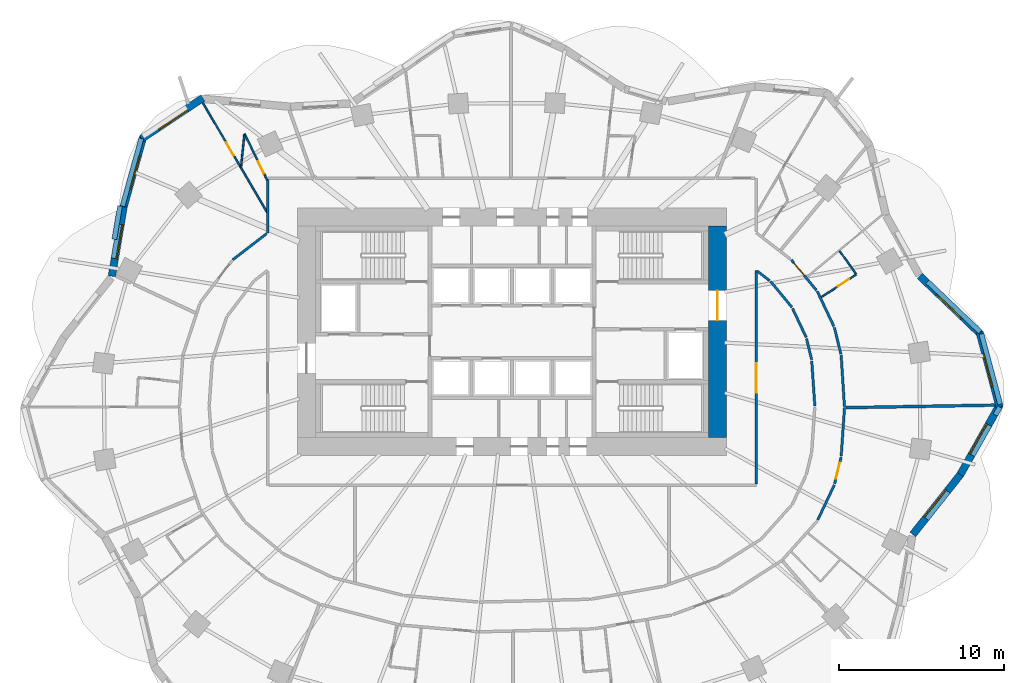
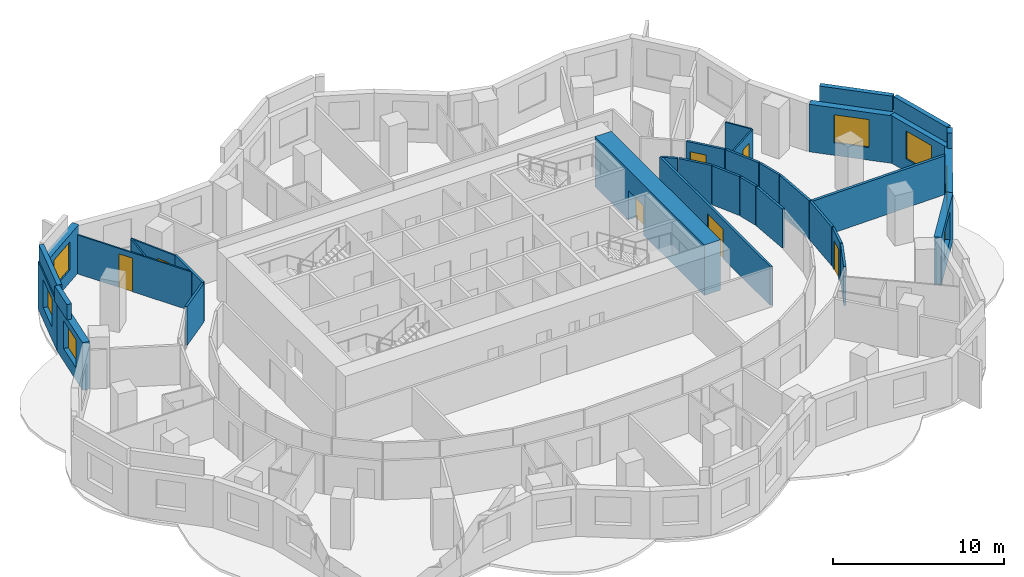
# One storey, part 7 of 11: 34 walls, 7 doors, 7 windows, 14 openings.
"""IFC4 building model written with IfcOpenShell, lengths in metres."""

from ifc_helpers import new_model, si_unit, direction, frame, frame_2d, origin, place, context, subcontext, project, spatial, rectangle, extrude, material, layer, layer_set, type_object, element, fill, save


model = new_model("IFC4")

# Units and contexts
model_context = context("Model", 3, precision=1e-05, world=origin(), true_north=direction((0.0, 1.0)))
body_context = subcontext(model_context, "Body", "Model", "MODEL_VIEW")
ifc_project = project(units=[si_unit("LENGTHUNIT", "METRE"), si_unit("AREAUNIT", "SQUARE_METRE"), si_unit("VOLUMEUNIT", "CUBIC_METRE"), si_unit("PLANEANGLEUNIT", "RADIAN"), si_unit("MASSUNIT", "GRAM", prefix="KILO")], contexts=[model_context])

# Site, building, storey
site_placement = place(None, origin())
site = spatial("IfcSite", under=ifc_project, at=site_placement, CompositionType="ELEMENT")
building_placement = place(site_placement, origin())
building = spatial("IfcBuilding", under=site, at=building_placement, Name="Rubra Terraces Tower", CompositionType="ELEMENT")
storey_placement = place(building_placement, frame((0.0, 0.0, 99.60009765625)))
storey = spatial("IfcBuildingStorey", under=building, at=storey_placement, Name="L23", CompositionType="ELEMENT", Elevation=99.60009765625)

# Wall
ifc_material_1 = material(Name="Twin plasterboard on staggered steel stud, acoustic mineral wool", Category="steel")
ifc_layer_1 = layer(ifc_material_1, 0.175048828125)
ifc_layer_set_1 = layer_set([ifc_layer_1], Name="Twin plasterboard on staggered steel stud, acoustic mineral wool")
wall_type_1 = type_object("IfcWallType", Name="ACOUSTIC PARTY WALL 175", PredefinedType="PARTITIONING", material=ifc_layer_set_1)
wall_1_placement = place(storey_placement, frame((29.27001953125, 0.06103515625, 0.0), z_axis=(0.0, 0.0, 1.0), x_axis=(-0.99985431895, -0.017068710461, 0.0)))
element("IfcWall", 1, at=wall_1_placement, inside=storey, type_object=wall_type_1, Name="PARTITION", PredefinedType="PARTITIONING", context=body_context, shape_type="SweptSolid", body=[
    extrude(rectangle(XDim=9.053955078125, YDim=0.175048828125, at=frame_2d((4.52685546875, 0.0))), origin(), (0.0, 0.0, 1.0), 2.783935546875),
])

# Wall, opening, window
ifc_material_2 = material(Name="Brick masonry red-brown", Category="masonry")
ifc_layer_2 = layer(ifc_material_2, 0.449951171875)
ifc_layer_set_2 = layer_set([ifc_layer_2], Name="Brick masonry red-brown")
wall_type_2 = type_object("IfcWallType", Name="Brick facade wall 450", PredefinedType="SOLIDWALL", material=ifc_layer_set_2)
wall_2_placement = place(storey_placement, frame((29.539794921875, -0.05810546875, 0.0), z_axis=(0.0, 0.0, 1.0), x_axis=(-0.258581372102, 0.96598947924, 0.0)))
wall_2 = element("IfcWall", 2, at=wall_2_placement, inside=storey, type_object=wall_type_2, Name="Facade wall L23 bay 1", PredefinedType="SOLIDWALL", context=body_context, shape_type="SweptSolid", body=[
    extrude(rectangle(XDim=4.68017578125, YDim=0.449951171875, at=frame_2d((2.340087890625, 0.0))), origin(), (0.0, 0.0, 1.0), 3.39990234375),
])
opening_1_placement = place(wall_2_placement, frame((1.2900390625, 0.0, 0.89990234375)))
opening_1 = element("IfcOpeningElement", 3, at=opening_1_placement, cuts=wall_2, Name="Opening W1", PredefinedType="OPENING", context=body_context, shape_type="SweptSolid", body=[
    extrude(rectangle(XDim=2.10009765625, YDim=2.0, at=frame_2d((1.050048828125, 1.0))), frame((0.0, 0.23486328125, 0.0), z_axis=(0.0, -1.0, 0.0), x_axis=(1.0, 0.0, 0.0)), (0.0, 0.0, 1.0), 0.469970703125),
])
ifc_material_3 = material(Name="Clear glass in aluminium frame", Category="aluminium")
window_type = type_object("IfcWindowType", Name="Fixed deep-set window 2100 x 2000", PartitioningType="SINGLE_PANEL", PredefinedType="WINDOW", material=ifc_material_3)
window_1_placement = place(opening_1_placement, origin())
window_1 = element("IfcWindow", 4, at=window_1_placement, inside=storey, type_object=window_type, Name="Window L23 bay 1", OverallHeight=2.0, OverallWidth=2.10009765625, PartitioningType="SINGLE_PANEL", PredefinedType="WINDOW", context=body_context, shape_type="SweptSolid", body=[
    extrude(rectangle(XDim=2.10009765625, YDim=2.0, at=frame_2d((1.050048828125, 1.0))), frame((0.0, 0.135009765625, 0.0), z_axis=(0.0, -1.0, 0.0), x_axis=(1.0, 0.0, 0.0)), (0.0, 0.0, 1.0), 0.06005859375),
])
fill(opening_1, window_1)

wall_3_placement = place(storey_placement, frame((28.38720703125, 4.362548828125, 0.0), z_axis=(0.0, 0.0, 1.0), x_axis=(-0.722717697728, 0.691143349379, 0.0)))
wall_3 = element("IfcWall", 5, at=wall_3_placement, inside=storey, type_object=wall_type_2, Name="Facade wall L23 bay 2", PredefinedType="SOLIDWALL", context=body_context, shape_type="SweptSolid", body=[
    extrude(rectangle(XDim=5.103271484375, YDim=0.449951171875, at=frame_2d((2.5517578125, 0.0))), origin(), (0.0, 0.0, 1.0), 3.39990234375),
])
opening_2_placement = place(wall_3_placement, frame((1.501708984375, 0.0, 0.89990234375)))
opening_2 = element("IfcOpeningElement", 6, at=opening_2_placement, cuts=wall_3, Name="Opening W1", PredefinedType="OPENING", context=body_context, shape_type="SweptSolid", body=[
    extrude(rectangle(XDim=2.10009765625, YDim=2.0, at=frame_2d((1.050048828125, 1.0))), frame((0.0, 0.23486328125, 0.0), z_axis=(0.0, -1.0, 0.0), x_axis=(1.0, 0.0, 0.0)), (0.0, 0.0, 1.0), 0.469970703125),
])
window_2_placement = place(opening_2_placement, origin())
window_2 = element("IfcWindow", 7, at=window_2_placement, inside=storey, type_object=window_type, Name="Window L23 bay 2", OverallHeight=2.0, OverallWidth=2.10009765625, PartitioningType="SINGLE_PANEL", PredefinedType="WINDOW", context=body_context, shape_type="SweptSolid", body=[
    extrude(rectangle(XDim=2.10009765625, YDim=2.0, at=frame_2d((1.050048828125, 1.0))), frame((0.0, 0.135009765625, 0.0), z_axis=(0.0, -1.0, 0.0), x_axis=(1.0, 0.0, 0.0)), (0.0, 0.0, 1.0), 0.06005859375),
])
fill(opening_2, window_2)

wall_4_placement = place(storey_placement, frame((-18.7255859375, 18.66259765625, 0.0), z_axis=(0.0, 0.0, 1.0), x_axis=(-0.83333921474, -0.552761931736, 0.0)))
wall_4 = element("IfcWall", 8, at=wall_4_placement, inside=storey, type_object=wall_type_2, Name="Facade wall L23 bay 16", PredefinedType="SOLIDWALL", context=body_context, shape_type="SweptSolid", body=[
    extrude(rectangle(XDim=4.45068359375, YDim=0.449951171875, at=frame_2d((2.225341796875, 0.0))), origin(), (0.0, 0.0, 1.0), 3.39990234375),
])
opening_3_placement = place(wall_4_placement, frame((1.17529296875, 0.0, 0.89990234375)))
opening_3 = element("IfcOpeningElement", 9, at=opening_3_placement, cuts=wall_4, Name="Opening W1", PredefinedType="OPENING", context=body_context, shape_type="SweptSolid", body=[
    extrude(rectangle(XDim=2.10009765625, YDim=2.0, at=frame_2d((1.050048828125, 1.0))), frame((0.0, 0.23486328125, 0.0), z_axis=(0.0, -1.0, 0.0), x_axis=(1.0, 0.0, 0.0)), (0.0, 0.0, 1.0), 0.469970703125),
])
window_3_placement = place(opening_3_placement, origin())
window_3 = element("IfcWindow", 10, at=window_3_placement, inside=storey, type_object=window_type, Name="Window L23 bay 16", OverallHeight=2.0, OverallWidth=2.10009765625, PartitioningType="SINGLE_PANEL", PredefinedType="WINDOW", context=body_context, shape_type="SweptSolid", body=[
    extrude(rectangle(XDim=2.10009765625, YDim=2.0, at=frame_2d((1.050048828125, 1.0))), frame((0.0, 0.135009765625, 0.0), z_axis=(0.0, -1.0, 0.0), x_axis=(1.0, 0.0, 0.0)), (0.0, 0.0, 1.0), 0.06005859375),
])
fill(opening_3, window_3)

wall_5_placement = place(storey_placement, frame((-22.343505859375, 16.32568359375, 0.0), z_axis=(0.0, 0.0, 1.0), x_axis=(-0.267925456304, -0.963439645159, 0.0)))
wall_5 = element("IfcWall", 11, at=wall_5_placement, inside=storey, type_object=wall_type_2, Name="Facade wall L23 bay 17", PredefinedType="SOLIDWALL", context=body_context, shape_type="SweptSolid", body=[
    extrude(rectangle(XDim=4.4267578125, YDim=0.449951171875, at=frame_2d((2.21337890625, 0.0))), origin(), (0.0, 0.0, 1.0), 3.39990234375),
])
opening_4_placement = place(wall_5_placement, frame((1.16357421875, 0.0, 0.89990234375)))
opening_4 = element("IfcOpeningElement", 12, at=opening_4_placement, cuts=wall_5, Name="Opening W1", PredefinedType="OPENING", context=body_context, shape_type="SweptSolid", body=[
    extrude(rectangle(XDim=2.10009765625, YDim=2.0, at=frame_2d((1.050048828125, 1.0))), frame((0.0, 0.23486328125, 0.0), z_axis=(0.0, -1.0, 0.0), x_axis=(1.0, 0.0, 0.0)), (0.0, 0.0, 1.0), 0.469970703125),
])
window_4_placement = place(opening_4_placement, origin())
window_4 = element("IfcWindow", 13, at=window_4_placement, inside=storey, type_object=window_type, Name="Window L23 bay 17", OverallHeight=2.0, OverallWidth=2.10009765625, PartitioningType="SINGLE_PANEL", PredefinedType="WINDOW", context=body_context, shape_type="SweptSolid", body=[
    extrude(rectangle(XDim=2.10009765625, YDim=2.0, at=frame_2d((1.050048828125, 1.0))), frame((0.0, 0.135009765625, 0.0), z_axis=(0.0, -1.0, 0.0), x_axis=(1.0, 0.0, 0.0)), (0.0, 0.0, 1.0), 0.06005859375),
])
fill(opening_4, window_4)

wall_6_placement = place(storey_placement, frame((-23.524169921875, 12.0830078125, 0.0), z_axis=(0.0, 0.0, 1.0), x_axis=(-0.167445072349, -0.985881406532, 0.0)))
wall_6 = element("IfcWall", 14, at=wall_6_placement, inside=storey, type_object=wall_type_2, Name="Facade wall L23 bay 18", PredefinedType="SOLIDWALL", context=body_context, shape_type="SweptSolid", body=[
    extrude(rectangle(XDim=4.27490234375, YDim=0.449951171875, at=frame_2d((2.137451171875, 0.0))), origin(), (0.0, 0.0, 1.0), 3.39990234375),
])
opening_5_placement = place(wall_6_placement, frame((1.08740234375, 0.0, 0.89990234375)))
opening_5 = element("IfcOpeningElement", 15, at=opening_5_placement, cuts=wall_6, Name="Opening W1", PredefinedType="OPENING", context=body_context, shape_type="SweptSolid", body=[
    extrude(rectangle(XDim=2.10009765625, YDim=2.0, at=frame_2d((1.050048828125, 1.0))), frame((0.0, 0.23486328125, 0.0), z_axis=(0.0, -1.0, 0.0), x_axis=(1.0, 0.0, 0.0)), (0.0, 0.0, 1.0), 0.469970703125),
])
window_5_placement = place(opening_5_placement, origin())
window_5 = element("IfcWindow", 16, at=window_5_placement, inside=storey, type_object=window_type, Name="Window L23 bay 18", OverallHeight=2.0, OverallWidth=2.10009765625, PartitioningType="SINGLE_PANEL", PredefinedType="WINDOW", context=body_context, shape_type="SweptSolid", body=[
    extrude(rectangle(XDim=2.10009765625, YDim=2.0, at=frame_2d((1.050048828125, 1.0))), frame((0.0, 0.135009765625, 0.0), z_axis=(0.0, -1.0, 0.0), x_axis=(1.0, 0.0, 0.0)), (0.0, 0.0, 1.0), 0.06005859375),
])
fill(opening_5, window_5)

wall_7_placement = place(storey_placement, frame((24.2822265625, -7.773681640625, 0.0), z_axis=(0.0, 0.0, 1.0), x_axis=(0.621735490397, 0.783227285008, 0.0)))
wall_7 = element("IfcWall", 17, at=wall_7_placement, inside=storey, type_object=wall_type_2, Name="Facade wall L23 bay 39", PredefinedType="SOLIDWALL", context=body_context, shape_type="SweptSolid", body=[
    extrude(rectangle(XDim=4.62451171875, YDim=0.449951171875, at=frame_2d((2.312255859375, 0.0))), origin(), (0.0, 0.0, 1.0), 3.39990234375),
])
opening_6_placement = place(wall_7_placement, frame((1.26220703125, 0.0, 0.89990234375)))
opening_6 = element("IfcOpeningElement", 18, at=opening_6_placement, cuts=wall_7, Name="Opening W1", PredefinedType="OPENING", context=body_context, shape_type="SweptSolid", body=[
    extrude(rectangle(XDim=2.10009765625, YDim=2.0, at=frame_2d((1.050048828125, 1.0))), frame((0.0, 0.23486328125, 0.0), z_axis=(0.0, -1.0, 0.0), x_axis=(1.0, 0.0, 0.0)), (0.0, 0.0, 1.0), 0.469970703125),
])
window_6_placement = place(opening_6_placement, origin())
window_6 = element("IfcWindow", 19, at=window_6_placement, inside=storey, type_object=window_type, Name="Window L23 bay 39", OverallHeight=2.0, OverallWidth=2.10009765625, PartitioningType="SINGLE_PANEL", PredefinedType="WINDOW", context=body_context, shape_type="SweptSolid", body=[
    extrude(rectangle(XDim=2.10009765625, YDim=2.0, at=frame_2d((1.050048828125, 1.0))), frame((0.0, 0.135009765625, 0.0), z_axis=(0.0, -1.0, 0.0), x_axis=(1.0, 0.0, 0.0)), (0.0, 0.0, 1.0), 0.06005859375),
])
fill(opening_6, window_6)

wall_8_placement = place(storey_placement, frame((27.138427734375, -4.180908203125, 0.0), z_axis=(0.0, 0.0, 1.0), x_axis=(0.491588303761, 0.870827732451, 0.0)))
wall_8 = element("IfcWall", 20, at=wall_8_placement, inside=storey, type_object=wall_type_2, Name="Facade wall L23 bay 40", PredefinedType="SOLIDWALL", context=body_context, shape_type="SweptSolid", body=[
    extrude(rectangle(XDim=4.924072265625, YDim=0.449951171875, at=frame_2d((2.4619140625, 0.0))), origin(), (0.0, 0.0, 1.0), 3.39990234375),
])
opening_7_placement = place(wall_8_placement, frame((1.412109375, 0.0, 0.89990234375)))
opening_7 = element("IfcOpeningElement", 21, at=opening_7_placement, cuts=wall_8, Name="Opening W1", PredefinedType="OPENING", context=body_context, shape_type="SweptSolid", body=[
    extrude(rectangle(XDim=2.10009765625, YDim=2.0, at=frame_2d((1.050048828125, 1.0))), frame((0.0, 0.23486328125, 0.0), z_axis=(0.0, -1.0, 0.0), x_axis=(1.0, 0.0, 0.0)), (0.0, 0.0, 1.0), 0.469970703125),
])
window_7_placement = place(opening_7_placement, origin())
window_7 = element("IfcWindow", 22, at=window_7_placement, inside=storey, type_object=window_type, Name="Window L23 bay 40", OverallHeight=2.0, OverallWidth=2.10009765625, PartitioningType="SINGLE_PANEL", PredefinedType="WINDOW", context=body_context, shape_type="SweptSolid", body=[
    extrude(rectangle(XDim=2.10009765625, YDim=2.0, at=frame_2d((1.050048828125, 1.0))), frame((0.0, 0.135009765625, 0.0), z_axis=(0.0, -1.0, 0.0), x_axis=(1.0, 0.0, 0.0)), (0.0, 0.0, 1.0), 0.06005859375),
])
fill(opening_7, window_7)

# Walls
ifc_layer_3 = layer(ifc_material_2, 0.300048828125)
ifc_layer_set_3 = layer_set([ifc_layer_3], Name="Brick masonry red-brown")
wall_type_3 = type_object("IfcWallType", Name="Brick parapet 300", PredefinedType="PARAPET", material=ifc_layer_set_3)
for number, where, z_axis, x_axis, name in (
    (23, (29.57275390625, 0.1083984375, 3.599853515625), (0.0, 0.0, 1.0), (-0.258523195294, 0.96600505045, 0.0), "Parapet L23 bay 1"),
    (24, (28.36083984375, 4.491455078125, 3.599853515625), (0.0, 0.0, 1.0), (-0.722694709068, 0.691167387457, 0.0), "Parapet L23 bay 2"),
):
    element("IfcWall", number, at=place(storey_placement, frame(where, z_axis=z_axis, x_axis=x_axis)), inside=storey, type_object=wall_type_3, Name=name, PredefinedType="PARAPET", context=body_context, shape_type="SweptSolid", body=[
        extrude(rectangle(XDim=4.4140625, YDim=0.300048828125, at=frame_2d((2.20703125, 0.0))), origin(), (0.0, 0.0, 1.0), 1.10009765625),
    ])
wall_9_placement = place(storey_placement, frame((-22.452392578125, 16.213134765625, 3.599853515625), z_axis=(0.0, 0.0, 1.0), x_axis=(-0.267993020858, -0.963420853403, 0.0)))
element("IfcWall", 25, at=wall_9_placement, inside=storey, type_object=wall_type_3, Name="Parapet L23 bay 17", PredefinedType="PARAPET", context=body_context, shape_type="SweptSolid", body=[
    extrude(rectangle(XDim=4.25537109375, YDim=0.300048828125, at=frame_2d((2.127685546875, 0.0))), origin(), (0.0, 0.0, 1.0), 1.10009765625),
])
wall_10_placement = place(storey_placement, frame((-23.7451171875, 12.125, 3.599853515625), z_axis=(0.0, 0.0, 1.0), x_axis=(-0.16743218322, -0.985883595574, 0.0)))
element("IfcWall", 26, at=wall_10_placement, inside=storey, type_object=wall_type_3, Name="Parapet L23 bay 18", PredefinedType="PARAPET", context=body_context, shape_type="SweptSolid", body=[
    extrude(rectangle(XDim=2.048583984375, YDim=0.300048828125, at=frame_2d((1.0244140625, 0.0))), origin(), (0.0, 0.0, 1.0), 1.10009765625),
])
wall_11_placement = place(storey_placement, frame((29.27880859375, -0.541748046875, 3.599853515625), z_axis=(0.0, 0.0, 1.0), x_axis=(0.491912136679, 0.870644847103, 0.0)))
element("IfcWall", 27, at=wall_11_placement, inside=storey, type_object=wall_type_3, Name="Parapet L23 bay 40", PredefinedType="PARAPET", context=body_context, shape_type="SweptSolid", body=[
    extrude(rectangle(XDim=0.554443359375, YDim=0.300048828125, at=frame_2d((0.27734375, 0.0))), origin(), (0.0, 0.0, 1.0), 1.10009765625),
])

# Wall, opening, door
ifc_material_4 = material(Name="Concrete C60", Category="concrete")
ifc_layer_4 = layer(ifc_material_4, 1.10009765625)
ifc_layer_set_4 = layer_set([ifc_layer_4], Name="Concrete C60")
wall_type_4 = type_object("IfcWallType", Name="CORE WALL 1100 C60", PredefinedType="SHEAR", material=ifc_layer_set_4)
wall_12_placement = place(storey_placement, frame((12.449951171875, -1.89990234375, 0.0), z_axis=(0.0, 0.0, 1.0), x_axis=(0.0, 1.0, 0.0)))
wall_12 = element("IfcWall", 28, at=wall_12_placement, inside=storey, type_object=wall_type_4, Name="CORE WALL E L23", PredefinedType="SHEAR", context=body_context, shape_type="SweptSolid", body=[
    extrude(rectangle(XDim=12.7998046875, YDim=1.10009765625, at=frame_2d((6.39990234375, 0.0))), origin(), (0.0, 0.0, 1.0), 3.599853515625),
])
opening_8_placement = place(wall_12_placement, frame((7.10009765625, 0.0, 0.0)))
opening_8 = element("IfcOpeningElement", 29, at=opening_8_placement, cuts=wall_12, Name="Opening L23.C02", PredefinedType="OPENING", context=body_context, shape_type="SweptSolid", body=[
    extrude(rectangle(XDim=1.800048828125, YDim=2.10009765625, at=frame_2d((0.89990234375, 1.050048828125))), frame((0.0, 0.56005859375, 0.0), z_axis=(0.0, -1.0, 0.0), x_axis=(1.0, 0.0, 0.0)), (0.0, 0.0, 1.0), 1.1201171875),
])
ifc_material_5 = material(Name="Painted steel", Category="steel")
door_type_1 = type_object("IfcDoorType", Name="Fire door 1800x2100 double", OperationType="NOTDEFINED", PredefinedType="DOOR", material=ifc_material_5)
door_1_placement = place(opening_8_placement, origin())
door_1 = element("IfcDoor", 30, at=door_1_placement, inside=storey, type_object=door_type_1, Name="Core entrance door FF2", OperationType="DOUBLE_DOOR_SINGLE_SWING", OverallHeight=2.10009765625, OverallWidth=1.800048828125, PredefinedType="DOOR", context=body_context, shape_type="SweptSolid", body=[
    extrude(rectangle(XDim=1.800048828125, YDim=2.10009765625, at=frame_2d((0.89990234375, 1.050048828125))), frame((0.0, 0.02490234375, 0.0), z_axis=(0.0, -1.0, 0.0), x_axis=(1.0, 0.0, 0.0)), (0.0, 0.0, 1.0), 0.050048828125),
])
fill(opening_8, door_1)

# Walls
ifc_material_6 = material(Name="Plasterboard on steel stud, mineral wool infill", Category="steel")
ifc_layer_5 = layer(ifc_material_6, 0.14990234375)
ifc_layer_set_5 = layer_set([ifc_layer_5], Name="Plasterboard on steel stud, mineral wool infill")
wall_type_5 = type_object("IfcWallType", Name="CORRIDOR PARTITION 150", PredefinedType="PARTITIONING", material=ifc_layer_set_5)
wall_13_placement = place(storey_placement, frame((-14.800048828125, 13.72509765625, 0.0), z_axis=(0.0, 0.0, 1.0), x_axis=(0.0, -1.0, 0.0)))
element("IfcWall", 31, at=wall_13_placement, inside=storey, type_object=wall_type_5, Name="PARTITION", PredefinedType="PARTITIONING", context=body_context, shape_type="SweptSolid", body=[
    extrude(rectangle(XDim=3.228271484375, YDim=0.14990234375, at=frame_2d((1.6142578125, 0.0))), origin(), (0.0, 0.0, 1.0), 2.783935546875),
])
wall_14_placement = place(storey_placement, frame((-14.859619140625, 10.451171875, 0.0), z_axis=(0.0, 0.0, 1.0), x_axis=(-0.791542595332, -0.611113999001, 0.0)))
element("IfcWall", 32, at=wall_14_placement, inside=storey, type_object=wall_type_5, Name="PARTITION", PredefinedType="PARTITIONING", context=body_context, shape_type="SweptSolid", body=[
    extrude(rectangle(XDim=2.604736328125, YDim=0.14990234375, at=frame_2d((1.30224609375, 0.0))), origin(), (0.0, 0.0, 1.0), 2.783935546875),
])
wall_15_placement = place(storey_placement, frame((18.521728515625, -6.891357421875, 0.0), z_axis=(0.0, 0.0, 1.0), x_axis=(0.428157819028, 0.903703979191, 0.0)))
element("IfcWall", 33, at=wall_15_placement, inside=storey, type_object=wall_type_5, Name="PARTITION", PredefinedType="PARTITIONING", context=body_context, shape_type="SweptSolid", body=[
    extrude(rectangle(XDim=2.349365234375, YDim=0.14990234375, at=frame_2d((1.1748046875, 0.0))), origin(), (0.0, 0.0, 1.0), 2.783935546875),
])

# Wall, opening, door
wall_16_placement = place(storey_placement, frame((19.54541015625, -4.695556640625, 0.0), z_axis=(0.0, 0.0, 1.0), x_axis=(0.23674251562, 0.971572427201, 0.0)))
wall_16 = element("IfcWall", 34, at=wall_16_placement, inside=storey, type_object=wall_type_5, Name="PARTITION", PredefinedType="PARTITIONING", context=body_context, shape_type="SweptSolid", body=[
    extrude(rectangle(XDim=1.6572265625, YDim=0.14990234375, at=frame_2d((0.82861328125, 0.0))), origin(), (0.0, 0.0, 1.0), 2.783935546875),
])
opening_9_placement = place(wall_16_placement, frame((0.300048828125, 0.0, 0.0)))
opening_9 = element("IfcOpeningElement", 35, at=opening_9_placement, cuts=wall_16, Name="Opening 23-119", PredefinedType="OPENING", context=body_context, shape_type="SweptSolid", body=[
    extrude(rectangle(XDim=1.0, YDim=2.10009765625, at=frame_2d((0.5, 1.050048828125))), frame((0.0, 0.0849609375, 0.0), z_axis=(0.0, -1.0, 0.0), x_axis=(1.0, 0.0, 0.0)), (0.0, 0.0, 1.0), 0.169921875),
])
ifc_material_7 = material(Name="Painted timber door leaf", Category="wood")
door_type_2 = type_object("IfcDoorType", Name="ROOM DOOR 1000 X 2100", OperationType="SINGLE_SWING_LEFT", PredefinedType="DOOR", material=ifc_material_7)
door_2_placement = place(opening_9_placement, origin())
door_2 = element("IfcDoor", 36, at=door_2_placement, inside=storey, type_object=door_type_2, Name="DOOR 23-119", OperationType="SINGLE_SWING_RIGHT", OverallHeight=2.10009765625, OverallWidth=1.0, PredefinedType="DOOR", context=body_context, shape_type="SweptSolid", body=[
    extrude(rectangle(XDim=1.0, YDim=2.10009765625, at=frame_2d((0.5, 1.050048828125))), frame((0.0, 0.02490234375, 0.0), z_axis=(0.0, -1.0, 0.0), x_axis=(1.0, 0.0, 0.0)), (0.0, 0.0, 1.0), 0.050048828125),
])
fill(opening_9, door_2)

# Walls
wall_17_placement = place(storey_placement, frame((19.94287109375, -3.0107421875, 0.0), z_axis=(0.0, 0.0, 1.0), x_axis=(0.068248767422, 0.997668334541, 0.0)))
element("IfcWall", 37, at=wall_17_placement, inside=storey, type_object=wall_type_5, Name="PARTITION", PredefinedType="PARTITIONING", context=body_context, shape_type="SweptSolid", body=[
    extrude(rectangle(XDim=2.922607421875, YDim=0.14990234375, at=frame_2d((1.46142578125, 0.0))), origin(), (0.0, 0.0, 1.0), 2.783935546875),
])
wall_18_placement = place(storey_placement, frame((20.1376953125, -0.02001953125, 0.0), z_axis=(0.0, 0.0, 1.0), x_axis=(-0.064253743149, 0.997933593227, 0.0)))
element("IfcWall", 38, at=wall_18_placement, inside=storey, type_object=wall_type_5, Name="PARTITION", PredefinedType="PARTITIONING", context=body_context, shape_type="SweptSolid", body=[
    extrude(rectangle(XDim=3.11181640625, YDim=0.14990234375, at=frame_2d((1.555908203125, 0.0))), origin(), (0.0, 0.0, 1.0), 2.783935546875),
])
wall_19_placement = place(storey_placement, frame((19.919921875, 3.158447265625, 0.0), z_axis=(0.0, 0.0, 1.0), x_axis=(-0.236776405664, 0.971564168607, 0.0)))
element("IfcWall", 39, at=wall_19_placement, inside=storey, type_object=wall_type_5, Name="PARTITION", PredefinedType="PARTITIONING", context=body_context, shape_type="SweptSolid", body=[
    extrude(rectangle(XDim=1.656982421875, YDim=0.14990234375, at=frame_2d((0.82861328125, 0.0))), origin(), (0.0, 0.0, 1.0), 2.783935546875),
])
wall_20_placement = place(storey_placement, frame((19.495361328125, 4.836181640625, 0.0), z_axis=(0.0, 0.0, 1.0), x_axis=(-0.428157819028, 0.903703979191, 0.0)))
element("IfcWall", 40, at=wall_20_placement, inside=storey, type_object=wall_type_5, Name="PARTITION", PredefinedType="PARTITIONING", context=body_context, shape_type="SweptSolid", body=[
    extrude(rectangle(XDim=2.349365234375, YDim=0.14990234375, at=frame_2d((1.1748046875, 0.0))), origin(), (0.0, 0.0, 1.0), 2.783935546875),
])

# Wall, opening, door
wall_21_placement = place(storey_placement, frame((18.44189453125, 7.01708984375, 0.0), z_axis=(0.0, 0.0, 1.0), x_axis=(-0.636538018119, 0.7712453251, 0.0)))
wall_21 = element("IfcWall", 41, at=wall_21_placement, inside=storey, type_object=wall_type_5, Name="PARTITION", PredefinedType="PARTITIONING", context=body_context, shape_type="SweptSolid", body=[
    extrude(rectangle(XDim=2.388671875, YDim=0.14990234375, at=frame_2d((1.1943359375, 0.0))), origin(), (0.0, 0.0, 1.0), 2.783935546875),
])
opening_10_placement = place(wall_21_placement, frame((1.14990234375, 0.0, 0.0)))
opening_10 = element("IfcOpeningElement", 42, at=opening_10_placement, cuts=wall_21, Name="Opening 23-122", PredefinedType="OPENING", context=body_context, shape_type="SweptSolid", body=[
    extrude(rectangle(XDim=1.0, YDim=2.10009765625, at=frame_2d((0.5, 1.050048828125))), frame((0.0, 0.0849609375, 0.0), z_axis=(0.0, -1.0, 0.0), x_axis=(1.0, 0.0, 0.0)), (0.0, 0.0, 1.0), 0.169921875),
])
door_3_placement = place(opening_10_placement, origin())
door_3 = element("IfcDoor", 43, at=door_3_placement, inside=storey, type_object=door_type_2, Name="DOOR 23-122", OperationType="SINGLE_SWING_RIGHT", OverallHeight=2.10009765625, OverallWidth=1.0, PredefinedType="DOOR", context=body_context, shape_type="SweptSolid", body=[
    extrude(rectangle(XDim=1.0, YDim=2.10009765625, at=frame_2d((0.5, 1.050048828125))), frame((0.0, 0.02490234375, 0.0), z_axis=(0.0, -1.0, 0.0), x_axis=(1.0, 0.0, 0.0)), (0.0, 0.0, 1.0), 0.050048828125),
])
fill(opening_10, door_3)

# Walls
wall_22_placement = place(storey_placement, frame((15.66162109375, 7.557861328125, 0.0), z_axis=(0.0, 0.0, 1.0), x_axis=(0.636500564941, -0.7712762351, 0.0)))
element("IfcWall", 44, at=wall_22_placement, inside=storey, type_object=wall_type_5, Name="PARTITION", PredefinedType="PARTITIONING", context=body_context, shape_type="SweptSolid", body=[
    extrude(rectangle(XDim=2.037841796875, YDim=0.14990234375, at=frame_2d((1.01904296875, 0.0))), origin(), (0.0, 0.0, 1.0), 2.783935546875),
])
wall_23_placement = place(storey_placement, frame((16.990966796875, 5.918212890625, 0.0), z_axis=(0.0, 0.0, 1.0), x_axis=(0.428199863362, -0.903684058185, 0.0)))
element("IfcWall", 45, at=wall_23_placement, inside=storey, type_object=wall_type_5, Name="PARTITION", PredefinedType="PARTITIONING", context=body_context, shape_type="SweptSolid", body=[
    extrude(rectangle(XDim=1.94140625, YDim=0.14990234375, at=frame_2d((0.970703125, 0.0))), origin(), (0.0, 0.0, 1.0), 2.783935546875),
])
wall_24_placement = place(storey_placement, frame((17.840087890625, 4.0908203125, 0.0), z_axis=(0.0, 0.0, 1.0), x_axis=(0.236653741324, -0.971594054489, 0.0)))
element("IfcWall", 46, at=wall_24_placement, inside=storey, type_object=wall_type_5, Name="PARTITION", PredefinedType="PARTITIONING", context=body_context, shape_type="SweptSolid", body=[
    extrude(rectangle(XDim=1.319580078125, YDim=0.14990234375, at=frame_2d((0.65966796875, 0.0))), origin(), (0.0, 0.0, 1.0), 2.783935546875),
])
wall_25_placement = place(storey_placement, frame((18.157470703125, 2.734130859375, 0.0), z_axis=(0.0, 0.0, 1.0), x_axis=(0.068328193832, -0.997662897941, 0.0)))
element("IfcWall", 47, at=wall_25_placement, inside=storey, type_object=wall_type_5, Name="PARTITION", PredefinedType="PARTITIONING", context=body_context, shape_type="SweptSolid", body=[
    extrude(rectangle(XDim=2.740478515625, YDim=0.14990234375, at=frame_2d((1.3701171875, 0.0))), origin(), (0.0, 0.0, 1.0), 2.783935546875),
])

# Wall, opening, door
wall_26_placement = place(storey_placement, frame((14.800048828125, -4.72509765625, 0.0), z_axis=(0.0, 0.0, 1.0), x_axis=(0.0, 1.0, 0.0)))
wall_26 = element("IfcWall", 48, at=wall_26_placement, inside=storey, type_object=wall_type_5, Name="PARTITION", PredefinedType="PARTITIONING", context=body_context, shape_type="SweptSolid", body=[
    extrude(rectangle(XDim=12.947998046875, YDim=0.14990234375, at=frame_2d((6.47412109375, 0.0))), origin(), (0.0, 0.0, 1.0), 2.783935546875),
])
opening_11_placement = place(wall_26_placement, frame((5.535888671875, 0.0, 0.0)))
opening_11 = element("IfcOpeningElement", 49, at=opening_11_placement, cuts=wall_26, Name="Opening 23-134", PredefinedType="OPENING", context=body_context, shape_type="SweptSolid", body=[
    extrude(rectangle(XDim=1.800048828125, YDim=2.10009765625, at=frame_2d((0.89990234375, 1.050048828125))), frame((0.0, 0.0849609375, 0.0), z_axis=(0.0, -1.0, 0.0), x_axis=(1.0, 0.0, 0.0)), (0.0, 0.0, 1.0), 0.169921875),
])
ifc_material_8 = material(Name="Painted timber door leaf, double", Category="wood")
door_type_3 = type_object("IfcDoorType", Name="ROOM DOUBLE DOOR 1800 X 2100", OperationType="DOUBLE_DOOR_SINGLE_SWING", PredefinedType="DOOR", material=ifc_material_8)
door_4_placement = place(opening_11_placement, origin())
door_4 = element("IfcDoor", 50, at=door_4_placement, inside=storey, type_object=door_type_3, Name="DOOR 23-134", OperationType="DOUBLE_DOOR_SINGLE_SWING", OverallHeight=2.10009765625, OverallWidth=1.800048828125, PredefinedType="DOOR", context=body_context, shape_type="SweptSolid", body=[
    extrude(rectangle(XDim=1.800048828125, YDim=2.10009765625, at=frame_2d((0.89990234375, 1.050048828125))), frame((0.0, 0.02490234375, 0.0), z_axis=(0.0, -1.0, 0.0), x_axis=(1.0, 0.0, 0.0)), (0.0, 0.0, 1.0), 0.050048828125),
])
fill(opening_11, door_4)

# Wall
wall_27_placement = place(storey_placement, frame((14.859375, 8.177001953125, 0.0), z_axis=(0.0, 0.0, 1.0), x_axis=(0.791588113465, -0.611055037309, 0.0)))
element("IfcWall", 51, at=wall_27_placement, inside=storey, type_object=wall_type_5, Name="PARTITION", PredefinedType="PARTITIONING", context=body_context, shape_type="SweptSolid", body=[
    extrude(rectangle(XDim=0.9384765625, YDim=0.14990234375, at=frame_2d((0.46923828125, 0.0))), origin(), (0.0, 0.0, 1.0), 2.783935546875),
])

# Wall, opening, door
ifc_material_9 = material(Name="Plasterboard on steel stud", Category="steel")
ifc_layer_6 = layer(ifc_material_9, 0.10009765625)
ifc_layer_set_6 = layer_set([ifc_layer_6], Name="Plasterboard on steel stud")
wall_type_6 = type_object("IfcWallType", Name="ROOM PARTITION 100", PredefinedType="PARTITIONING", material=ifc_layer_set_6)
wall_28_placement = place(storey_placement, frame((-18.730224609375, 18.383544921875, 0.0), z_axis=(0.0, 0.0, 1.0), x_axis=(0.505731710935, -0.862690811679, 0.0)))
wall_28 = element("IfcWall", 52, at=wall_28_placement, inside=storey, type_object=wall_type_6, Name="PARTITION", PredefinedType="PARTITIONING", context=body_context, shape_type="SweptSolid", body=[
    extrude(rectangle(XDim=7.696533203125, YDim=0.10009765625, at=frame_2d((3.84814453125, 0.0))), origin(), (0.0, 0.0, 1.0), 2.783935546875),
])
opening_12_placement = place(wall_28_placement, frame((2.800048828125, 0.0, 0.0)))
opening_12 = element("IfcOpeningElement", 53, at=opening_12_placement, cuts=wall_28, Name="Opening 23-102", PredefinedType="OPENING", context=body_context, shape_type="SweptSolid", body=[
    extrude(rectangle(XDim=0.89990234375, YDim=2.39990234375, at=frame_2d((0.449951171875, 1.199951171875))), frame((0.0, 0.06005859375, 0.0), z_axis=(0.0, -1.0, 0.0), x_axis=(1.0, 0.0, 0.0)), (0.0, 0.0, 1.0), 0.1201171875),
])
ifc_material_10 = material(Name="Veneered timber door leaf, fire-rated", Category="wood")
door_type_4 = type_object("IfcDoorType", Name="SUITE ENTRANCE DOOR 900 X 2400", OperationType="SINGLE_SWING_LEFT", PredefinedType="DOOR", material=ifc_material_10)
door_5_placement = place(opening_12_placement, origin())
door_5 = element("IfcDoor", 54, at=door_5_placement, inside=storey, type_object=door_type_4, Name="DOOR 23-102", OperationType="SINGLE_SWING_LEFT", OverallHeight=2.39990234375, OverallWidth=0.89990234375, PredefinedType="DOOR", context=body_context, shape_type="SweptSolid", body=[
    extrude(rectangle(XDim=0.89990234375, YDim=2.39990234375, at=frame_2d((0.449951171875, 1.199951171875))), frame((0.0, 0.02490234375, 0.0), z_axis=(0.0, -1.0, 0.0), x_axis=(1.0, 0.0, 0.0)), (0.0, 0.0, 1.0), 0.050048828125),
])
fill(opening_12, door_5)

wall_29_placement = place(storey_placement, frame((-14.8330078125, 13.69677734375, 0.0), z_axis=(0.0, 0.0, 1.0), x_axis=(-0.439854589446, 0.898069006337, 0.0)))
wall_29 = element("IfcWall", 55, at=wall_29_placement, inside=storey, type_object=wall_type_6, Name="PARTITION", PredefinedType="PARTITIONING", context=body_context, shape_type="SweptSolid", body=[
    extrude(rectangle(XDim=3.125, YDim=0.10009765625, at=frame_2d((1.5625, 0.0))), origin(), (0.0, 0.0, 1.0), 2.783935546875),
])
opening_13_placement = place(wall_29_placement, frame((0.449951171875, 0.0, 0.0)))
opening_13 = element("IfcOpeningElement", 56, at=opening_13_placement, cuts=wall_29, Name="Opening 23-101", PredefinedType="OPENING", context=body_context, shape_type="SweptSolid", body=[
    extrude(rectangle(XDim=0.800048828125, YDim=2.10009765625, at=frame_2d((0.39990234375, 1.050048828125))), frame((0.0, 0.06005859375, 0.0), z_axis=(0.0, -1.0, 0.0), x_axis=(1.0, 0.0, 0.0)), (0.0, 0.0, 1.0), 0.1201171875),
])
door_type_5 = type_object("IfcDoorType", Name="BATHROOM DOOR 800 X 2100", OperationType="SINGLE_SWING_LEFT", PredefinedType="DOOR", material=ifc_material_7)
door_6_placement = place(opening_13_placement, origin())
door_6 = element("IfcDoor", 57, at=door_6_placement, inside=storey, type_object=door_type_5, Name="DOOR 23-101", OperationType="SINGLE_SWING_LEFT", OverallHeight=2.10009765625, OverallWidth=0.800048828125, PredefinedType="DOOR", context=body_context, shape_type="SweptSolid", body=[
    extrude(rectangle(XDim=0.800048828125, YDim=2.10009765625, at=frame_2d((0.39990234375, 1.050048828125))), frame((0.0, 0.02490234375, 0.0), z_axis=(0.0, -1.0, 0.0), x_axis=(1.0, 0.0, 0.0)), (0.0, 0.0, 1.0), 0.050048828125),
])
fill(opening_13, door_6)

# Wall
wall_30_placement = place(storey_placement, frame((-16.212646484375, 16.453369140625, 0.0), z_axis=(0.0, 0.0, 1.0), x_axis=(-0.101658565937, -0.99481934841, 0.0)))
element("IfcWall", 58, at=wall_30_placement, inside=storey, type_object=wall_type_6, Name="PARTITION", PredefinedType="PARTITIONING", context=body_context, shape_type="SweptSolid", body=[
    extrude(rectangle(XDim=1.97412109375, YDim=0.10009765625, at=frame_2d((0.987060546875, 0.0))), origin(), (0.0, 0.0, 1.0), 2.783935546875),
])

# Wall, opening, door
wall_31_placement = place(storey_placement, frame((18.739990234375, 6.604248046875, 0.0), z_axis=(0.0, 0.0, 1.0), x_axis=(0.839209373403, 0.543808447519, 0.0)))
wall_31 = element("IfcWall", 59, at=wall_31_placement, inside=storey, type_object=wall_type_6, Name="PARTITION", PredefinedType="PARTITIONING", context=body_context, shape_type="SweptSolid", body=[
    extrude(rectangle(XDim=2.52490234375, YDim=0.10009765625, at=frame_2d((1.262451171875, 0.0))), origin(), (0.0, 0.0, 1.0), 2.783935546875),
])
opening_14_placement = place(wall_31_placement, frame((1.199951171875, 0.0, 0.0)))
opening_14 = element("IfcOpeningElement", 60, at=opening_14_placement, cuts=wall_31, Name="Opening 23-120", PredefinedType="OPENING", context=body_context, shape_type="SweptSolid", body=[
    extrude(rectangle(XDim=0.800048828125, YDim=2.10009765625, at=frame_2d((0.39990234375, 1.050048828125))), frame((0.0, 0.06005859375, 0.0), z_axis=(0.0, -1.0, 0.0), x_axis=(1.0, 0.0, 0.0)), (0.0, 0.0, 1.0), 0.1201171875),
])
door_7_placement = place(opening_14_placement, origin())
door_7 = element("IfcDoor", 61, at=door_7_placement, inside=storey, type_object=door_type_5, Name="DOOR 23-120", OperationType="SINGLE_SWING_LEFT", OverallHeight=2.10009765625, OverallWidth=0.800048828125, PredefinedType="DOOR", context=body_context, shape_type="SweptSolid", body=[
    extrude(rectangle(XDim=0.800048828125, YDim=2.10009765625, at=frame_2d((0.39990234375, 1.050048828125))), frame((0.0, 0.02490234375, 0.0), z_axis=(0.0, -1.0, 0.0), x_axis=(1.0, 0.0, 0.0)), (0.0, 0.0, 1.0), 0.050048828125),
])
fill(opening_14, door_7)

# Wall
wall_32_placement = place(storey_placement, frame((20.829833984375, 8.01806640625, 0.0), z_axis=(0.0, 0.0, 1.0), x_axis=(-0.581347517166, 0.813655371939, 0.0)))
element("IfcWall", 62, at=wall_32_placement, inside=storey, type_object=wall_type_6, Name="PARTITION", PredefinedType="PARTITIONING", context=body_context, shape_type="SweptSolid", body=[
    extrude(rectangle(XDim=1.68994140625, YDim=0.10009765625, at=frame_2d((0.844970703125, 0.0))), origin(), (0.0, 0.0, 1.0), 2.783935546875),
])

save(model, "model.ifc")
